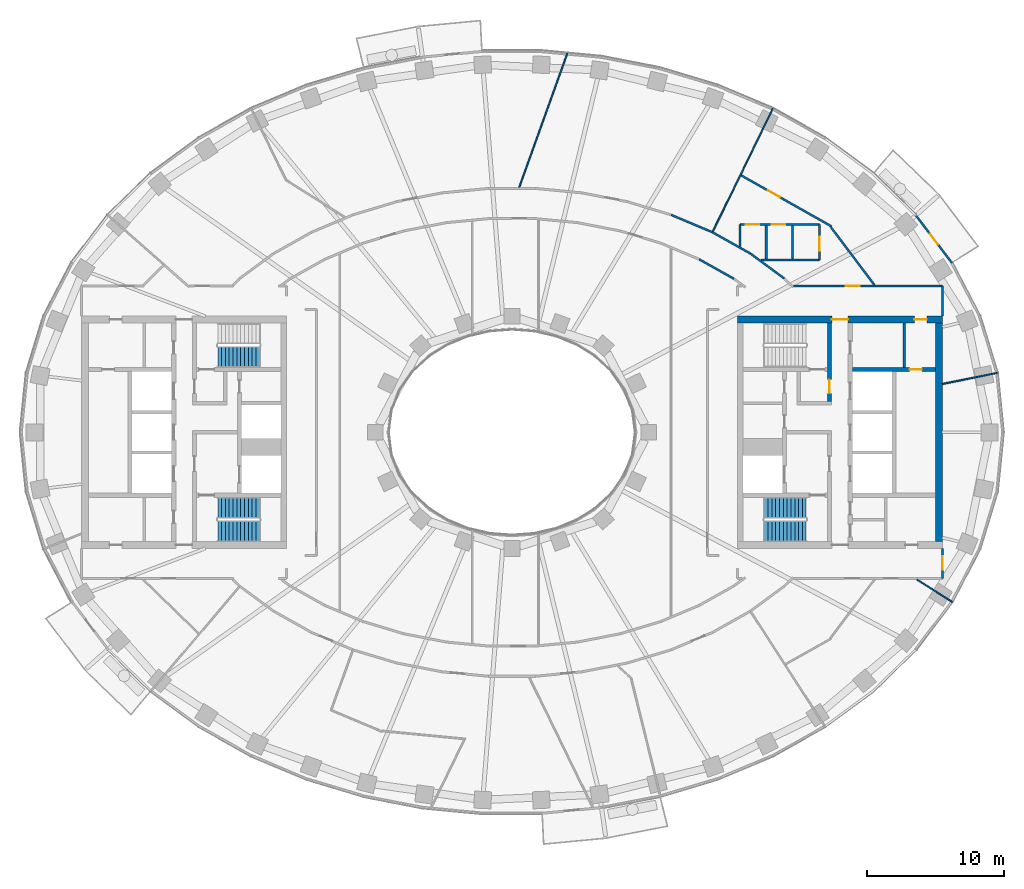
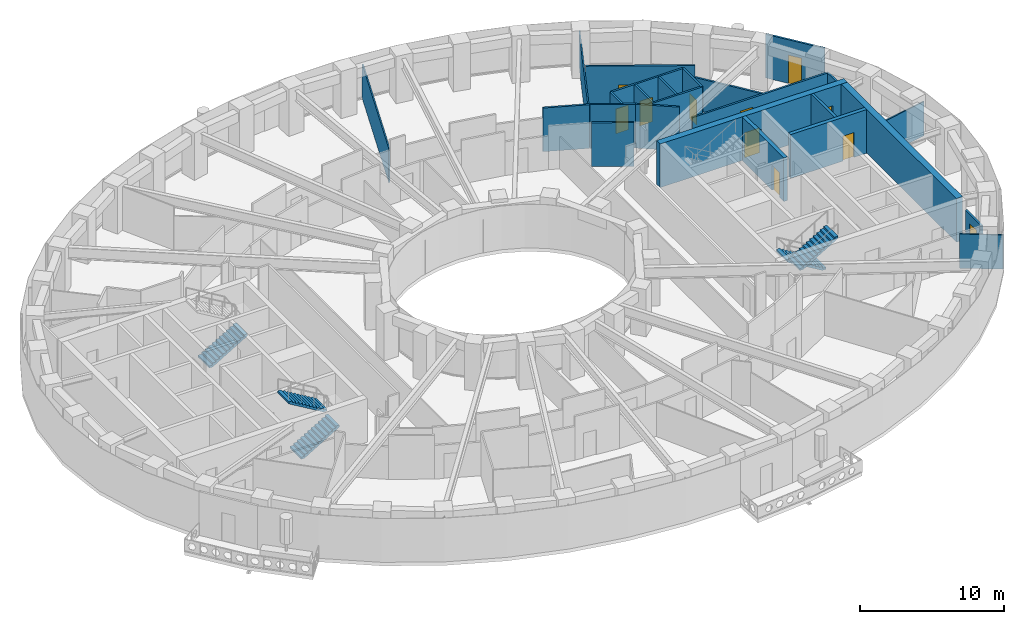
# One storey, part 7 of 17: 25 walls, 11 doors, 5 stair flights, 11 openings, 3 elements without a shape of their own.
"""IFC4 building model written with IfcOpenShell, lengths in metres."""

from ifc_helpers import new_model, si_unit, direction, frame, frame_2d, origin, place, context, subcontext, project, spatial, polyline, rectangle, outline, extrude, material, layer, layer_set, type_object, element, fill, aggregate, save


model = new_model("IFC4")

# Units and contexts
model_context = context("Model", 3, precision=1e-05, world=origin(), true_north=direction((0.0, 1.0)))
body_context = subcontext(model_context, "Body", "Model", "MODEL_VIEW")
ifc_project = project(units=[si_unit("LENGTHUNIT", "METRE"), si_unit("AREAUNIT", "SQUARE_METRE"), si_unit("VOLUMEUNIT", "CUBIC_METRE"), si_unit("PLANEANGLEUNIT", "RADIAN"), si_unit("MASSUNIT", "GRAM", prefix="KILO")], contexts=[model_context])

# Site, building, storey
site_placement = place(None, origin())
site = spatial("IfcSite", under=ifc_project, at=site_placement, CompositionType="ELEMENT")
building_placement = place(site_placement, origin())
building = spatial("IfcBuilding", under=site, at=building_placement, Name="Noorbagh Ring Tower", CompositionType="ELEMENT")
storey_placement = place(building_placement, frame((0.0, 0.0, 120.0)))
storey = spatial("IfcBuildingStorey", under=building, at=storey_placement, Name="L27", CompositionType="ELEMENT", Elevation=120.0)

# Wall
ifc_material_1 = material(Name="Gypsum board on steel studs", Category="steel")
ifc_layer_1 = layer(ifc_material_1, 0.199951171875)
ifc_layer_set_1 = layer_set([ifc_layer_1], Name="Gypsum board on steel studs")
wall_type_1 = type_object("IfcWallType", Name="CORE-PARTITION-200", PredefinedType="PARTITIONING", material=ifc_layer_set_1)
wall_1_placement = place(storey_placement, frame((28.699951171875, 4.75, 0.0), z_axis=(0.0, 0.0, 1.0), x_axis=(0.0, 1.0, 0.0)))
element("IfcWall", 1, at=wall_1_placement, inside=storey, type_object=wall_type_1, Name="Core partition E", PredefinedType="PARTITIONING", context=body_context, shape_type="SweptSolid", body=[
    extrude(rectangle(XDim=3.25, YDim=0.199951171875, at=frame_2d((1.625, 0.0))), origin(), (0.0, 0.0, 1.0), 3.699951171875),
])

# Wall, opening, door
ifc_material_2 = material(Name="Concrete C70/85", Category="concrete")
ifc_layer_2 = layer(ifc_material_2, 0.300048828125)
ifc_layer_set_2 = layer_set([ifc_layer_2], Name="Concrete C70/85")
wall_type_2 = type_object("IfcWallType", Name="CORE-WALL-300-C70-85-EI240", PredefinedType="SHEAR", material=ifc_layer_set_2)
wall_2_placement = place(storey_placement, frame((24.89990234375, 4.60009765625, 0.0), z_axis=(0.0, 0.0, 1.0), x_axis=(1.0, 0.0, 0.0)))
wall_2 = element("IfcWall", 2, at=wall_2_placement, inside=storey, type_object=wall_type_2, Name="Core wall E", PredefinedType="SHEAR", context=body_context, shape_type="SweptSolid", body=[
    extrude(rectangle(XDim=6.10009765625, YDim=0.300048828125, at=frame_2d((3.050048828125, 0.0))), origin(), (0.0, 0.0, 1.0), 3.699951171875),
])
opening_1_placement = place(wall_2_placement, frame((4.199951171875, 0.0, 0.0)))
opening_1 = element("IfcOpeningElement", 3, at=opening_1_placement, cuts=wall_2, Name="Opening L27-CE18", PredefinedType="OPENING", context=body_context, shape_type="SweptSolid", body=[
    extrude(rectangle(XDim=0.89990234375, YDim=2.10009765625, at=frame_2d((0.449951171875, 1.050048828125))), frame((0.0, 0.16015625, 0.0), z_axis=(0.0, -1.0, 0.0), x_axis=(1.0, 0.0, 0.0)), (0.0, 0.0, 1.0), 0.320068359375),
])
ifc_material_3 = material(Name="Steel door leaf", Category="steel")
door_type_1 = type_object("IfcDoorType", Name="CORE-DOOR-DROOM", OperationType="SINGLE_SWING_LEFT", PredefinedType="DOOR", material=ifc_material_3)
door_1_placement = place(opening_1_placement, origin())
door_1 = element("IfcDoor", 4, at=door_1_placement, inside=storey, type_object=door_type_1, Name="Core room door L27-CE18", OperationType="SINGLE_SWING_RIGHT", OverallHeight=2.10009765625, OverallWidth=0.89990234375, PredefinedType="DOOR", context=body_context, shape_type="SweptSolid", body=[
    extrude(rectangle(XDim=0.89990234375, YDim=2.10009765625, at=frame_2d((0.449951171875, 1.050048828125))), frame((0.0, 0.02490234375, 0.0), z_axis=(0.0, -1.0, 0.0), x_axis=(1.0, 0.0, 0.0)), (0.0, 0.0, 1.0), 0.050048828125),
])
fill(opening_1, door_1)

wall_3_placement = place(storey_placement, frame((23.22998046875, 2.25, 0.0), z_axis=(0.0, 0.0, 1.0), x_axis=(0.0, 1.0, 0.0)))
wall_3 = element("IfcWall", 5, at=wall_3_placement, inside=storey, type_object=wall_type_2, Name="Core wall E", PredefinedType="SHEAR", context=body_context, shape_type="SweptSolid", body=[
    extrude(rectangle(XDim=5.75, YDim=0.300048828125, at=frame_2d((2.875, 0.0))), origin(), (0.0, 0.0, 1.0), 3.699951171875),
])
opening_2_placement = place(wall_3_placement, frame((0.60009765625, 0.0, 0.0)))
opening_2 = element("IfcOpeningElement", 6, at=opening_2_placement, cuts=wall_3, Name="Opening L27-CE08", PredefinedType="OPENING", context=body_context, shape_type="SweptSolid", body=[
    extrude(rectangle(XDim=1.0, YDim=2.10009765625, at=frame_2d((0.5, 1.050048828125))), frame((0.0, 0.16015625, 0.0), z_axis=(0.0, -1.0, 0.0), x_axis=(1.0, 0.0, 0.0)), (0.0, 0.0, 1.0), 0.320068359375),
])
ifc_material_4 = material(Name="Steel door leaf", Category="steel")
door_type_2 = type_object("IfcDoorType", Name="CORE-DOOR-DVEST", OperationType="SINGLE_SWING_LEFT", PredefinedType="DOOR", material=ifc_material_4)
door_2_placement = place(opening_2_placement, origin())
door_2 = element("IfcDoor", 7, at=door_2_placement, inside=storey, type_object=door_type_2, Name="Stair vestibule door L27-CE08", OperationType="SINGLE_SWING_RIGHT", OverallHeight=2.10009765625, OverallWidth=1.0, PredefinedType="DOOR", context=body_context, shape_type="SweptSolid", body=[
    extrude(rectangle(XDim=1.0, YDim=2.10009765625, at=frame_2d((0.5, 1.050048828125))), frame((0.0, 0.02490234375, 0.0), z_axis=(0.0, -1.0, 0.0), x_axis=(1.0, 0.0, 0.0)), (0.0, 0.0, 1.0), 0.050048828125),
])
fill(opening_2, door_2)

# Wall, openings, doors
ifc_material_5 = material(Name="Concrete C70/85", Category="concrete")
ifc_layer_3 = layer(ifc_material_5, 0.5)
ifc_layer_set_3 = layer_set([ifc_layer_3], Name="Concrete C70/85")
wall_type_3 = type_object("IfcWallType", Name="CORE-WALL-500-C70-85-EI240", PredefinedType="SHEAR", material=ifc_layer_set_3)
wall_4_placement = place(storey_placement, frame((16.5, 8.25, 0.0), z_axis=(0.0, 0.0, 1.0), x_axis=(1.0, 0.0, 0.0)))
wall_4 = element("IfcWall", 8, at=wall_4_placement, inside=storey, type_object=wall_type_3, Name="Core wall E", PredefinedType="SHEAR", context=body_context, shape_type="SweptSolid", body=[
    extrude(rectangle(XDim=15.0, YDim=0.5, at=frame_2d((7.5, 0.0))), origin(), (0.0, 0.0, 1.0), 3.699951171875),
])
opening_3_placement = place(wall_4_placement, frame((6.89990234375, 0.0, 0.0)))
opening_3 = element("IfcOpeningElement", 9, at=opening_3_placement, cuts=wall_4, Name="Opening L27-CE09", PredefinedType="OPENING", context=body_context, shape_type="SweptSolid", body=[
    extrude(rectangle(XDim=1.199951171875, YDim=2.10009765625, at=frame_2d((0.60009765625, 1.050048828125))), frame((0.0, 0.260009765625, 0.0), z_axis=(0.0, -1.0, 0.0), x_axis=(1.0, 0.0, 0.0)), (0.0, 0.0, 1.0), 0.52001953125),
])
opening_4_placement = place(wall_4_placement, frame((12.949951171875, 0.0, 0.0)))
opening_4 = element("IfcOpeningElement", 10, at=opening_4_placement, cuts=wall_4, Name="Opening L27-CE14", PredefinedType="OPENING", context=body_context, shape_type="SweptSolid", body=[
    extrude(rectangle(XDim=0.89990234375, YDim=2.10009765625, at=frame_2d((0.449951171875, 1.050048828125))), frame((0.0, 0.260009765625, 0.0), z_axis=(0.0, -1.0, 0.0), x_axis=(1.0, 0.0, 0.0)), (0.0, 0.0, 1.0), 0.52001953125),
])
door_3_placement = place(opening_4_placement, origin())
door_3 = element("IfcDoor", 11, at=door_3_placement, inside=storey, type_object=door_type_1, Name="Core room door L27-CE14", OperationType="SINGLE_SWING_LEFT", OverallHeight=2.10009765625, OverallWidth=0.89990234375, PredefinedType="DOOR", context=body_context, shape_type="SweptSolid", body=[
    extrude(rectangle(XDim=0.89990234375, YDim=2.10009765625, at=frame_2d((0.449951171875, 1.050048828125))), frame((0.0, 0.02490234375, 0.0), z_axis=(0.0, -1.0, 0.0), x_axis=(1.0, 0.0, 0.0)), (0.0, 0.0, 1.0), 0.050048828125),
])
fill(opening_4, door_3)
ifc_material_6 = material(Name="Steel door leaf", Category="steel")
door_type_3 = type_object("IfcDoorType", Name="CORE-DOOR-PORT", OperationType="DOUBLE_DOOR_DOUBLE_SWING", PredefinedType="DOOR", material=ifc_material_6)
door_4_placement = place(opening_3_placement, origin())
door_4 = element("IfcDoor", 12, at=door_4_placement, inside=storey, type_object=door_type_3, Name="Core entrance door L27-CE09", OperationType="DOUBLE_DOOR_DOUBLE_SWING", OverallHeight=2.10009765625, OverallWidth=1.199951171875, PredefinedType="DOOR", context=body_context, shape_type="SweptSolid", body=[
    extrude(rectangle(XDim=1.199951171875, YDim=2.10009765625, at=frame_2d((0.60009765625, 1.050048828125))), frame((0.0, 0.02490234375, 0.0), z_axis=(0.0, -1.0, 0.0), x_axis=(1.0, 0.0, 0.0)), (0.0, 0.0, 1.0), 0.050048828125),
])
fill(opening_3, door_4)

# Walls
wall_5_placement = place(storey_placement, frame((31.25, -8.0, 0.0), z_axis=(0.0, 0.0, 1.0), x_axis=(0.0, 1.0, 0.0)))
element("IfcWall", 13, at=wall_5_placement, inside=storey, type_object=wall_type_3, Name="Core wall E", PredefinedType="SHEAR", context=body_context, shape_type="SweptSolid", body=[
    extrude(rectangle(XDim=16.0, YDim=0.5, at=frame_2d((8.0, 0.0))), origin(), (0.0, 0.0, 1.0), 3.699951171875),
])
ifc_material_7 = material(Name="Gypsum board on steel studs", Category="steel")
ifc_layer_4 = layer(ifc_material_7, 0.14990234375)
ifc_layer_set_4 = layer_set([ifc_layer_4], Name="Gypsum board on steel studs")
wall_type_4 = type_object("IfcWallType", Name="CORRIDOR PARTITION 150 EI 30", PredefinedType="PARTITIONING", material=ifc_layer_set_4)
wall_6_placement = place(storey_placement, frame((11.64306640625, 15.9130859375, 0.0), z_axis=(0.0, 0.0, 1.0), x_axis=(0.921789499058, -0.38769075231, 0.0)))
element("IfcWall", 14, at=wall_6_placement, inside=storey, type_object=wall_type_4, Name="L27/wall/P81", PredefinedType="PARTITIONING", context=body_context, shape_type="SweptSolid", body=[
    extrude(rectangle(XDim=3.2783203125, YDim=0.14990234375, at=frame_2d((1.63916015625, 0.0))), origin(), (0.0, 0.0, 1.0), 3.699951171875),
])
wall_7_placement = place(storey_placement, frame((13.697021484375, 12.662109375, 0.0), z_axis=(0.0, 0.0, 1.0), x_axis=(0.872147381065, -0.489243237767, 0.0)))
element("IfcWall", 15, at=wall_7_placement, inside=storey, type_object=wall_type_4, Name="L27/wall/P83", PredefinedType="PARTITIONING", context=body_context, shape_type="SweptSolid", body=[
    extrude(rectangle(XDim=2.92724609375, YDim=0.14990234375, at=frame_2d((1.463623046875, 0.0))), origin(), (0.0, 0.0, 1.0), 3.699951171875),
])
wall_8_placement = place(storey_placement, frame((14.681884765625, 14.632080078125, 0.0), z_axis=(0.0, 0.0, 1.0), x_axis=(0.872147050911, -0.489243826315, 0.0)))
element("IfcWall", 16, at=wall_8_placement, inside=storey, type_object=wall_type_4, Name="L27/wall/P89", PredefinedType="PARTITIONING", context=body_context, shape_type="SweptSolid", body=[
    extrude(rectangle(XDim=3.168212890625, YDim=0.14990234375, at=frame_2d((1.583984375, 0.0))), origin(), (0.0, 0.0, 1.0), 3.699951171875),
])
wall_9_placement = place(storey_placement, frame((16.69091796875, 13.594970703125, 0.0), z_axis=(0.0, 0.0, 1.0), x_axis=(0.0, 1.0, 0.0)))
element("IfcWall", 17, at=wall_9_placement, inside=storey, type_object=wall_type_4, Name="L27/wall/P96", PredefinedType="PARTITIONING", context=body_context, shape_type="SweptSolid", body=[
    extrude(rectangle(XDim=1.60107421875, YDim=0.14990234375, at=frame_2d((0.800537109375, 0.0))), origin(), (0.0, 0.0, 1.0), 3.699951171875),
])

# Wall, openings, doors
wall_10_placement = place(storey_placement, frame((16.695068359375, 15.199951171875, 0.0), z_axis=(0.0, 0.0, 1.0), x_axis=(1.0, 0.0, 0.0)))
wall_10 = element("IfcWall", 18, at=wall_10_placement, inside=storey, type_object=wall_type_4, Name="L27/wall/P97", PredefinedType="PARTITIONING", context=body_context, shape_type="SweptSolid", body=[
    extrude(rectangle(XDim=5.7919921875, YDim=0.14990234375, at=frame_2d((2.89599609375, 0.0))), origin(), (0.0, 0.0, 1.0), 3.699951171875),
])
opening_5_placement = place(wall_10_placement, frame((2.31005859375, 0.0, 0.0)))
opening_5 = element("IfcOpeningElement", 19, at=opening_5_placement, cuts=wall_10, Name="Opening D3", PredefinedType="OPENING", context=body_context, shape_type="SweptSolid", body=[
    extrude(rectangle(XDim=1.0, YDim=2.10009765625, at=frame_2d((0.5, 1.050048828125))), frame((0.0, 0.0849609375, 0.0), z_axis=(0.0, -1.0, 0.0), x_axis=(1.0, 0.0, 0.0)), (0.0, 0.0, 1.0), 0.169921875),
])
opening_6_placement = place(wall_10_placement, frame((0.39990234375, 0.0, 0.0)))
opening_6 = element("IfcOpeningElement", 20, at=opening_6_placement, cuts=wall_10, Name="Opening D3", PredefinedType="OPENING", context=body_context, shape_type="SweptSolid", body=[
    extrude(rectangle(XDim=1.0, YDim=2.10009765625, at=frame_2d((0.5, 1.050048828125))), frame((0.0, 0.0849609375, 0.0), z_axis=(0.0, -1.0, 0.0), x_axis=(1.0, 0.0, 0.0)), (0.0, 0.0, 1.0), 0.169921875),
])
ifc_material_8 = material(Name="Timber, painted", Category="wood")
door_type_4 = type_object("IfcDoorType", Name="DOOR 1000 X 2100 WC", OperationType="SINGLE_SWING_LEFT", PredefinedType="DOOR", material=ifc_material_8)
door_5_placement = place(opening_5_placement, origin())
door_5 = element("IfcDoor", 21, at=door_5_placement, inside=storey, type_object=door_type_4, Name="L27-D03", OperationType="SINGLE_SWING_LEFT", OverallHeight=2.10009765625, OverallWidth=1.0, PredefinedType="DOOR", context=body_context, shape_type="SweptSolid", body=[
    extrude(rectangle(XDim=1.0, YDim=2.10009765625, at=frame_2d((0.5, 1.050048828125))), frame((0.0, 0.02490234375, 0.0), z_axis=(0.0, -1.0, 0.0), x_axis=(1.0, 0.0, 0.0)), (0.0, 0.0, 1.0), 0.050048828125),
])
fill(opening_5, door_5)
door_6_placement = place(opening_6_placement, origin())
door_6 = element("IfcDoor", 22, at=door_6_placement, inside=storey, type_object=door_type_4, Name="L27-D04", OperationType="SINGLE_SWING_RIGHT", OverallHeight=2.10009765625, OverallWidth=1.0, PredefinedType="DOOR", context=body_context, shape_type="SweptSolid", body=[
    extrude(rectangle(XDim=1.0, YDim=2.10009765625, at=frame_2d((0.5, 1.050048828125))), frame((0.0, 0.02490234375, 0.0), z_axis=(0.0, -1.0, 0.0), x_axis=(1.0, 0.0, 0.0)), (0.0, 0.0, 1.0), 0.050048828125),
])
fill(opening_6, door_6)

# Wall, opening, door
wall_11_placement = place(storey_placement, frame((16.758056640625, 18.80810546875, 0.0), z_axis=(0.0, 0.0, 1.0), x_axis=(0.870913339681, -0.491436623345, 0.0)))
wall_11 = element("IfcWall", 23, at=wall_11_placement, inside=storey, type_object=wall_type_4, Name="L27/wall/P98", PredefinedType="PARTITIONING", context=body_context, shape_type="SweptSolid", body=[
    extrude(rectangle(XDim=7.6103515625, YDim=0.14990234375, at=frame_2d((3.80517578125, 0.0))), origin(), (0.0, 0.0, 1.0), 3.699951171875),
])
opening_7_placement = place(wall_11_placement, frame((2.273193359375, 0.0, 0.0)))
opening_7 = element("IfcOpeningElement", 24, at=opening_7_placement, cuts=wall_11, Name="Opening D1", PredefinedType="OPENING", context=body_context, shape_type="SweptSolid", body=[
    extrude(rectangle(XDim=1.0, YDim=2.10009765625, at=frame_2d((0.5, 1.050048828125))), frame((0.0, 0.0849609375, 0.0), z_axis=(0.0, -1.0, 0.0), x_axis=(1.0, 0.0, 0.0)), (0.0, 0.0, 1.0), 0.169921875),
])
ifc_material_9 = material(Name="Timber, painted", Category="wood")
door_type_5 = type_object("IfcDoorType", Name="DOOR 1000 X 2100 FD30", OperationType="SINGLE_SWING_LEFT", PredefinedType="DOOR", material=ifc_material_9)
door_7_placement = place(opening_7_placement, origin())
door_7 = element("IfcDoor", 25, at=door_7_placement, inside=storey, type_object=door_type_5, Name="L27-D15", OperationType="SINGLE_SWING_RIGHT", OverallHeight=2.10009765625, OverallWidth=1.0, PredefinedType="DOOR", context=body_context, shape_type="SweptSolid", body=[
    extrude(rectangle(XDim=1.0, YDim=2.10009765625, at=frame_2d((0.5, 1.050048828125))), frame((0.0, 0.02490234375, 0.0), z_axis=(0.0, -1.0, 0.0), x_axis=(1.0, 0.0, 0.0)), (0.0, 0.0, 1.0), 0.050048828125),
])
fill(opening_7, door_7)

# Walls
wall_12_placement = place(storey_placement, frame((17.445068359375, 13.08203125, 0.0), z_axis=(0.0, 0.0, 1.0), x_axis=(0.805185638843, -0.593022838516, 0.0)))
element("IfcWall", 26, at=wall_12_placement, inside=storey, type_object=wall_type_4, Name="L27/wall/P99", PredefinedType="PARTITIONING", context=body_context, shape_type="SweptSolid", body=[
    extrude(rectangle(XDim=3.072509765625, YDim=0.14990234375, at=frame_2d((1.5361328125, 0.0))), origin(), (0.0, 0.0, 1.0), 3.699951171875),
])
wall_13_placement = place(storey_placement, frame((18.22900390625, 12.60009765625, 0.0), z_axis=(0.0, 0.0, 1.0), x_axis=(1.0, 0.0, 0.0)))
element("IfcWall", 27, at=wall_13_placement, inside=storey, type_object=wall_type_4, Name="L27/wall/P102", PredefinedType="PARTITIONING", context=body_context, shape_type="SweptSolid", body=[
    extrude(rectangle(XDim=4.261962890625, YDim=0.14990234375, at=frame_2d((2.130859375, 0.0))), origin(), (0.0, 0.0, 1.0), 3.699951171875),
])
wall_14_placement = place(storey_placement, frame((18.60498046875, 12.675048828125, 0.0), z_axis=(0.0, 0.0, 1.0), x_axis=(0.0, 1.0, 0.0)))
element("IfcWall", 28, at=wall_14_placement, inside=storey, type_object=wall_type_4, Name="L27/wall/P103", PredefinedType="PARTITIONING", context=body_context, shape_type="SweptSolid", body=[
    extrude(rectangle(XDim=2.449951171875, YDim=0.14990234375, at=frame_2d((1.22509765625, 0.0))), origin(), (0.0, 0.0, 1.0), 3.699951171875),
])

# Wall, opening, door
wall_15_placement = place(storey_placement, frame((20.60302734375, 10.699951171875, 0.0), z_axis=(0.0, 0.0, 1.0), x_axis=(1.0, 0.0, 0.0)))
wall_15 = element("IfcWall", 29, at=wall_15_placement, inside=storey, type_object=wall_type_4, Name="L27/wall/P108", PredefinedType="PARTITIONING", context=body_context, shape_type="SweptSolid", body=[
    extrude(rectangle(XDim=10.89697265625, YDim=0.14990234375, at=frame_2d((5.448486328125, 0.0))), origin(), (0.0, 0.0, 1.0), 2.89990234375),
])
opening_8_placement = place(wall_15_placement, frame((3.8291015625, 0.0, 0.0)))
opening_8 = element("IfcOpeningElement", 30, at=opening_8_placement, cuts=wall_15, Name="Opening D1", PredefinedType="OPENING", context=body_context, shape_type="SweptSolid", body=[
    extrude(rectangle(XDim=1.0, YDim=2.10009765625, at=frame_2d((0.5, 1.050048828125))), frame((0.0, 0.0849609375, 0.0), z_axis=(0.0, -1.0, 0.0), x_axis=(1.0, 0.0, 0.0)), (0.0, 0.0, 1.0), 0.169921875),
])
door_8_placement = place(opening_8_placement, origin())
door_8 = element("IfcDoor", 31, at=door_8_placement, inside=storey, type_object=door_type_5, Name="L27-D01", OperationType="SINGLE_SWING_LEFT", OverallHeight=2.10009765625, OverallWidth=1.0, PredefinedType="DOOR", context=body_context, shape_type="SweptSolid", body=[
    extrude(rectangle(XDim=1.0, YDim=2.10009765625, at=frame_2d((0.5, 1.050048828125))), frame((0.0, 0.02490234375, 0.0), z_axis=(0.0, -1.0, 0.0), x_axis=(1.0, 0.0, 0.0)), (0.0, 0.0, 1.0), 0.050048828125),
])
fill(opening_8, door_8)

# Wall
wall_16_placement = place(storey_placement, frame((20.51904296875, 12.675048828125, 0.0), z_axis=(0.0, 0.0, 1.0), x_axis=(0.0, 1.0, 0.0)))
element("IfcWall", 32, at=wall_16_placement, inside=storey, type_object=wall_type_4, Name="L27/wall/P109", PredefinedType="PARTITIONING", context=body_context, shape_type="SweptSolid", body=[
    extrude(rectangle(XDim=2.449951171875, YDim=0.14990234375, at=frame_2d((1.22509765625, 0.0))), origin(), (0.0, 0.0, 1.0), 3.699951171875),
])

# Wall, opening, door
wall_17_placement = place(storey_placement, frame((22.490966796875, 12.60009765625, 0.0), z_axis=(0.0, 0.0, 1.0), x_axis=(0.0, 1.0, 0.0)))
wall_17 = element("IfcWall", 33, at=wall_17_placement, inside=storey, type_object=wall_type_4, Name="L27/wall/P110", PredefinedType="PARTITIONING", context=body_context, shape_type="SweptSolid", body=[
    extrude(rectangle(XDim=2.595947265625, YDim=0.14990234375, at=frame_2d((1.2978515625, 0.0))), origin(), (0.0, 0.0, 1.0), 3.699951171875),
])
opening_9_placement = place(wall_17_placement, frame((0.696044921875, 0.0, 0.0)))
opening_9 = element("IfcOpeningElement", 34, at=opening_9_placement, cuts=wall_17, Name="Opening D3", PredefinedType="OPENING", context=body_context, shape_type="SweptSolid", body=[
    extrude(rectangle(XDim=1.0, YDim=2.10009765625, at=frame_2d((0.5, 1.050048828125))), frame((0.0, 0.0849609375, 0.0), z_axis=(0.0, -1.0, 0.0), x_axis=(1.0, 0.0, 0.0)), (0.0, 0.0, 1.0), 0.169921875),
])
door_9_placement = place(opening_9_placement, origin())
door_9 = element("IfcDoor", 35, at=door_9_placement, inside=storey, type_object=door_type_4, Name="L27-D02", OperationType="SINGLE_SWING_RIGHT", OverallHeight=2.10009765625, OverallWidth=1.0, PredefinedType="DOOR", context=body_context, shape_type="SweptSolid", body=[
    extrude(rectangle(XDim=1.0, YDim=2.10009765625, at=frame_2d((0.5, 1.050048828125))), frame((0.0, 0.02490234375, 0.0), z_axis=(0.0, -1.0, 0.0), x_axis=(1.0, 0.0, 0.0)), (0.0, 0.0, 1.0), 0.050048828125),
])
fill(opening_9, door_9)

# Wall
wall_18_placement = place(storey_placement, frame((23.3359375, 15.010009765625, 0.0), z_axis=(0.0, 0.0, 1.0), x_axis=(0.601641668664, -0.79876611253, 0.0)))
element("IfcWall", 36, at=wall_18_placement, inside=storey, type_object=wall_type_4, Name="L27/wall/P112", PredefinedType="PARTITIONING", context=body_context, shape_type="SweptSolid", body=[
    extrude(rectangle(XDim=5.302001953125, YDim=0.14990234375, at=frame_2d((2.65087890625, 0.0))), origin(), (0.0, 0.0, 1.0), 2.75),
])

# Wall, opening, door
wall_19_placement = place(storey_placement, frame((31.5, -10.699951171875, 0.0), z_axis=(0.0, 0.0, 1.0), x_axis=(0.0, 1.0, 0.0)))
wall_19 = element("IfcWall", 37, at=wall_19_placement, inside=storey, type_object=wall_type_4, Name="L27/wall/P114", PredefinedType="PARTITIONING", context=body_context, shape_type="SweptSolid", body=[
    extrude(rectangle(XDim=2.199951171875, YDim=0.14990234375, at=frame_2d((1.10009765625, 0.0))), origin(), (0.0, 0.0, 1.0), 2.89990234375),
])
opening_10_placement = place(wall_19_placement, frame((0.64990234375, 0.0, 0.0)))
opening_10 = element("IfcOpeningElement", 38, at=opening_10_placement, cuts=wall_19, Name="Opening D1", PredefinedType="OPENING", context=body_context, shape_type="SweptSolid", body=[
    extrude(rectangle(XDim=1.0, YDim=2.10009765625, at=frame_2d((0.5, 1.050048828125))), frame((0.0, 0.0849609375, 0.0), z_axis=(0.0, -1.0, 0.0), x_axis=(1.0, 0.0, 0.0)), (0.0, 0.0, 1.0), 0.169921875),
])
door_10_placement = place(opening_10_placement, origin())
door_10 = element("IfcDoor", 39, at=door_10_placement, inside=storey, type_object=door_type_5, Name="L27-D18", OperationType="SINGLE_SWING_RIGHT", OverallHeight=2.10009765625, OverallWidth=1.0, PredefinedType="DOOR", context=body_context, shape_type="SweptSolid", body=[
    extrude(rectangle(XDim=1.0, YDim=2.10009765625, at=frame_2d((0.5, 1.050048828125))), frame((0.0, 0.02490234375, 0.0), z_axis=(0.0, -1.0, 0.0), x_axis=(1.0, 0.0, 0.0)), (0.0, 0.0, 1.0), 0.050048828125),
])
fill(opening_10, door_10)

# Wall
wall_20_placement = place(storey_placement, frame((31.5, 8.5, 0.0), z_axis=(0.0, 0.0, 1.0), x_axis=(0.0, 1.0, 0.0)))
element("IfcWall", 40, at=wall_20_placement, inside=storey, type_object=wall_type_4, Name="L27/wall/P116", PredefinedType="PARTITIONING", context=body_context, shape_type="SweptSolid", body=[
    extrude(rectangle(XDim=2.199951171875, YDim=0.14990234375, at=frame_2d((1.10009765625, 0.0))), origin(), (0.0, 0.0, 1.0), 2.89990234375),
])

# Wall, opening, door
ifc_material_10 = material(Name="Insulated aluminium clad panel", Category="aluminium")
ifc_layer_5 = layer(ifc_material_10, 0.14990234375)
ifc_layer_set_5 = layer_set([ifc_layer_5], Name="Insulated aluminium clad panel")
wall_type_5 = type_object("IfcWallType", Name="ENV-WALL-DOOR", PredefinedType="STANDARD", material=ifc_layer_set_5)
wall_21_placement = place(storey_placement, frame((32.20751953125, 12.37353515625, 0.0), z_axis=(0.0, 0.0, 1.0), x_axis=(-0.604045763106, 0.796949632081, 0.0)))
wall_21 = element("IfcWall", 41, at=wall_21_placement, inside=storey, type_object=wall_type_5, Name="Balcony door wall chord 04", PredefinedType="STANDARD", context=body_context, shape_type="SweptSolid", body=[
    extrude(rectangle(XDim=4.42333984375, YDim=0.14990234375, at=frame_2d((2.211669921875, 0.0))), origin(), (0.0, 0.0, 1.0), 3.699951171875),
])
opening_11_placement = place(wall_21_placement, frame((1.711669921875, 0.0, 0.0)))
opening_11 = element("IfcOpeningElement", 42, at=opening_11_placement, cuts=wall_21, Name="Opening D-BL", PredefinedType="OPENING", context=body_context, shape_type="SweptSolid", body=[
    extrude(rectangle(XDim=1.0, YDim=2.39990234375, at=frame_2d((0.5, 1.199951171875))), frame((0.0, 0.0849609375, 0.0), z_axis=(0.0, -1.0, 0.0), x_axis=(1.0, 0.0, 0.0)), (0.0, 0.0, 1.0), 0.169921875),
])
ifc_material_11 = material(Name="Aluminium and glass", Category="aluminium")
door_type_6 = type_object("IfcDoorType", Name="ENV-DOOR-BALCONY", OperationType="SINGLE_SWING_LEFT", PredefinedType="DOOR", material=ifc_material_11)
door_11_placement = place(opening_11_placement, origin())
door_11 = element("IfcDoor", 43, at=door_11_placement, inside=storey, type_object=door_type_6, Name="Balcony door chord 04", OperationType="SINGLE_SWING_RIGHT", OverallHeight=2.39990234375, OverallWidth=1.0, PredefinedType="DOOR", context=body_context, shape_type="SweptSolid", body=[
    extrude(rectangle(XDim=1.0, YDim=2.39990234375, at=frame_2d((0.5, 1.199951171875))), frame((0.0, 0.02490234375, 0.0), z_axis=(0.0, -1.0, 0.0), x_axis=(1.0, 0.0, 0.0)), (0.0, 0.0, 1.0), 0.050048828125),
])
fill(opening_11, door_11)

# Walls
ifc_material_12 = material(Name="Gypsum board on steel studs", Category="steel")
ifc_layer_6 = layer(ifc_material_12, 0.10009765625)
ifc_layer_set_6 = layer_set([ifc_layer_6], Name="Gypsum board on steel studs")
wall_type_6 = type_object("IfcWallType", Name="PARTITION 100 GYPSUM", PredefinedType="PARTITIONING", material=ifc_layer_set_6)
wall_22_placement = place(storey_placement, frame((0.52294921875, 17.923095703125, 0.0), z_axis=(0.0, 0.0, 1.0), x_axis=(0.338475258228, 0.940975291688, 0.0)))
element("IfcWall", 44, at=wall_22_placement, inside=storey, type_object=wall_type_6, Name="L27/wall/P58", PredefinedType="PARTITIONING", context=body_context, shape_type="SweptSolid", body=[
    extrude(rectangle(XDim=10.408203125, YDim=0.10009765625, at=frame_2d((5.2041015625, 0.0))), origin(), (0.0, 0.0, 1.0), 2.89990234375),
])
wall_23_placement = place(storey_placement, frame((14.6669921875, 14.64599609375, 0.0), z_axis=(0.0, 0.0, 1.0), x_axis=(0.439197946233, 0.898390318305, 0.0)))
element("IfcWall", 45, at=wall_23_placement, inside=storey, type_object=wall_type_6, Name="L27/wall/P88", PredefinedType="PARTITIONING", context=body_context, shape_type="SweptSolid", body=[
    extrude(rectangle(XDim=10.061279296875, YDim=0.10009765625, at=frame_2d((5.03076171875, 0.0))), origin(), (0.0, 0.0, 1.0), 2.89990234375),
])
wall_24_placement = place(storey_placement, frame((29.636962890625, -10.777099609375, 0.0), z_axis=(0.0, 0.0, 1.0), x_axis=(0.844810627195, -0.535065420467, 0.0)))
element("IfcWall", 46, at=wall_24_placement, inside=storey, type_object=wall_type_6, Name="L27/wall/P113", PredefinedType="PARTITIONING", context=body_context, shape_type="SweptSolid", body=[
    extrude(rectangle(XDim=3.0478515625, YDim=0.10009765625, at=frame_2d((1.52392578125, 0.0))), origin(), (0.0, 0.0, 1.0), 2.89990234375),
])
wall_25_placement = place(storey_placement, frame((31.5, 3.5419921875, 0.0), z_axis=(0.0, 0.0, 1.0), x_axis=(0.980357474535, 0.197228857227, 0.0)))
element("IfcWall", 47, at=wall_25_placement, inside=storey, type_object=wall_type_6, Name="L27/wall/P115", PredefinedType="PARTITIONING", context=body_context, shape_type="SweptSolid", body=[
    extrude(rectangle(XDim=4.09228515625, YDim=0.10009765625, at=frame_2d((2.046142578125, 0.0))), origin(), (0.0, 0.0, 1.0), 2.89990234375),
])

# Stair, stair flight
ifc_material_13 = material(Name="Concrete C40/50", Category="concrete")
stair_type = type_object("IfcStairType", Name="CORE-STAIR", PredefinedType="HALF_TURN_STAIR", material=ifc_material_13)
stair_1_placement = place(storey_placement, origin())
stair_1 = element("IfcStair", 48, at=stair_1_placement, inside=storey, type_object=stair_type, Name="L27 Exit stair ST1", PredefinedType="HALF_TURN_STAIR")
ifc_material_14 = material(Name="Concrete C40/50", Category="concrete")
stair_flight_type = type_object("IfcStairFlightType", Name="CORE-STAIR-FLIGHT", PredefinedType="STRAIGHT", material=ifc_material_14)
stair_flight_1_placement = place(storey_placement, frame((-21.530029296875, 5.52490234375, 0.0), z_axis=(0.0, 0.0, 1.0), x_axis=(1.0, 0.0, 0.0)))
stair_flight_1 = element("IfcStairFlight", 49, at=stair_flight_1_placement, type_object=stair_flight_type, Name="ST1 flight 1", NumberOfRisers=12, NumberOfTreads=11, PredefinedType="STRAIGHT", RiserHeight=0.166666667, TreadLength=0.28, context=body_context, shape_type="SweptSolid", body=[
    extrude(outline(polyline([(0.0, 0.0), (0.0, 0.166748046875), (0.280029296875, 0.166748046875), (0.280029296875, 0.333251953125), (0.56005859375, 0.333251953125), (0.56005859375, 0.5), (0.840087890625, 0.5), (0.840087890625, 0.666748046875), (1.1201171875, 0.666748046875), (1.1201171875, 0.833251953125), (1.39990234375, 0.833251953125), (1.39990234375, 1.0), (1.679931640625, 1.0), (1.679931640625, 1.166748046875), (1.9599609375, 1.166748046875), (1.9599609375, 1.333251953125), (2.239990234375, 1.333251953125), (2.239990234375, 1.5), (2.52001953125, 1.5), (2.52001953125, 1.666748046875), (2.800048828125, 1.666748046875), (2.800048828125, 1.833251953125), (3.080078125, 1.833251953125), (3.080078125, 2.0), (3.080078125, 1.658935546875), (0.29296875, 0.0), (0.0, 0.0)])), frame((0.0, 0.77490234375, 0.0), z_axis=(0.0, -1.0, 0.0), x_axis=(1.0, 0.0, 0.0)), (0.0, 0.0, 1.0), 1.550048828125),
])
aggregate(stair_1, [stair_flight_1])

# Stair, stair flights
stair_2_placement = place(storey_placement, origin())
stair_2 = element("IfcStair", 50, at=stair_2_placement, inside=storey, type_object=stair_type, Name="L27 Exit stair ST2", PredefinedType="HALF_TURN_STAIR")
stair_flight_2_placement = place(storey_placement, frame((-21.530029296875, -7.22509765625, 0.0), z_axis=(0.0, 0.0, 1.0), x_axis=(1.0, 0.0, 0.0)))
stair_flight_2 = element("IfcStairFlight", 51, at=stair_flight_2_placement, type_object=stair_flight_type, Name="ST2 flight 1", NumberOfRisers=12, NumberOfTreads=11, PredefinedType="STRAIGHT", RiserHeight=0.166666667, TreadLength=0.28, context=body_context, shape_type="SweptSolid", body=[
    extrude(outline(polyline([(0.0, 0.0), (0.0, 0.166748046875), (0.280029296875, 0.166748046875), (0.280029296875, 0.333251953125), (0.56005859375, 0.333251953125), (0.56005859375, 0.5), (0.840087890625, 0.5), (0.840087890625, 0.666748046875), (1.1201171875, 0.666748046875), (1.1201171875, 0.833251953125), (1.39990234375, 0.833251953125), (1.39990234375, 1.0), (1.679931640625, 1.0), (1.679931640625, 1.166748046875), (1.9599609375, 1.166748046875), (1.9599609375, 1.333251953125), (2.239990234375, 1.333251953125), (2.239990234375, 1.5), (2.52001953125, 1.5), (2.52001953125, 1.666748046875), (2.800048828125, 1.666748046875), (2.800048828125, 1.833251953125), (3.080078125, 1.833251953125), (3.080078125, 2.0), (3.080078125, 1.658935546875), (0.29296875, 0.0), (0.0, 0.0)])), frame((0.0, 0.77490234375, 0.0), z_axis=(0.0, -1.0, 0.0), x_axis=(1.0, 0.0, 0.0)), (0.0, 0.0, 1.0), 1.550048828125),
])
stair_flight_3_placement = place(storey_placement, frame((-18.449951171875, -5.52490234375, 2.0), z_axis=(0.0, 0.0, 1.0), x_axis=(-1.0, 0.0, 0.0)))
stair_flight_3 = element("IfcStairFlight", 52, at=stair_flight_3_placement, type_object=stair_flight_type, Name="ST2 flight 2", NumberOfRisers=12, NumberOfTreads=11, PredefinedType="STRAIGHT", RiserHeight=0.166666667, TreadLength=0.28, context=body_context, shape_type="SweptSolid", body=[
    extrude(outline(polyline([(0.0, 0.0), (0.0, 0.166748046875), (0.280029296875, 0.166748046875), (0.280029296875, 0.333251953125), (0.56005859375, 0.333251953125), (0.56005859375, 0.5), (0.840087890625, 0.5), (0.840087890625, 0.666748046875), (1.1201171875, 0.666748046875), (1.1201171875, 0.833251953125), (1.39990234375, 0.833251953125), (1.39990234375, 1.0), (1.679931640625, 1.0), (1.679931640625, 1.166748046875), (1.9599609375, 1.166748046875), (1.9599609375, 1.333251953125), (2.239990234375, 1.333251953125), (2.239990234375, 1.5), (2.52001953125, 1.5), (2.52001953125, 1.666748046875), (2.800048828125, 1.666748046875), (2.800048828125, 1.833251953125), (3.080078125, 1.833251953125), (3.080078125, 2.0), (3.080078125, 1.658935546875), (0.29296875, 0.0), (0.0, 0.0)])), frame((0.0, 0.77490234375, 0.0), z_axis=(0.0, -1.0, 0.0), x_axis=(1.0, 0.0, 0.0)), (0.0, 0.0, 1.0), 1.550048828125),
])
aggregate(stair_2, [stair_flight_2, stair_flight_3])

stair_3_placement = place(storey_placement, origin())
stair_3 = element("IfcStair", 53, at=stair_3_placement, inside=storey, type_object=stair_type, Name="L27 Exit stair ST4", PredefinedType="HALF_TURN_STAIR")
stair_flight_4_placement = place(storey_placement, frame((21.530029296875, -5.52490234375, 0.0), z_axis=(0.0, 0.0, 1.0), x_axis=(-1.0, 0.0, 0.0)))
stair_flight_4 = element("IfcStairFlight", 54, at=stair_flight_4_placement, type_object=stair_flight_type, Name="ST4 flight 1", NumberOfRisers=12, NumberOfTreads=11, PredefinedType="STRAIGHT", RiserHeight=0.166666667, TreadLength=0.28, context=body_context, shape_type="SweptSolid", body=[
    extrude(outline(polyline([(0.0, 0.0), (0.0, 0.166748046875), (0.280029296875, 0.166748046875), (0.280029296875, 0.333251953125), (0.56005859375, 0.333251953125), (0.56005859375, 0.5), (0.840087890625, 0.5), (0.840087890625, 0.666748046875), (1.1201171875, 0.666748046875), (1.1201171875, 0.833251953125), (1.39990234375, 0.833251953125), (1.39990234375, 1.0), (1.679931640625, 1.0), (1.679931640625, 1.166748046875), (1.9599609375, 1.166748046875), (1.9599609375, 1.333251953125), (2.239990234375, 1.333251953125), (2.239990234375, 1.5), (2.52001953125, 1.5), (2.52001953125, 1.666748046875), (2.800048828125, 1.666748046875), (2.800048828125, 1.833251953125), (3.080078125, 1.833251953125), (3.080078125, 2.0), (3.080078125, 1.658935546875), (0.29296875, 0.0), (0.0, 0.0)])), frame((0.0, 0.77490234375, 0.0), z_axis=(0.0, -1.0, 0.0), x_axis=(1.0, 0.0, 0.0)), (0.0, 0.0, 1.0), 1.550048828125),
])
stair_flight_5_placement = place(storey_placement, frame((18.449951171875, -7.22509765625, 2.0), z_axis=(0.0, 0.0, 1.0), x_axis=(1.0, 0.0, 0.0)))
stair_flight_5 = element("IfcStairFlight", 55, at=stair_flight_5_placement, type_object=stair_flight_type, Name="ST4 flight 2", NumberOfRisers=12, NumberOfTreads=11, PredefinedType="STRAIGHT", RiserHeight=0.166666667, TreadLength=0.28, context=body_context, shape_type="SweptSolid", body=[
    extrude(outline(polyline([(0.0, 0.0), (0.0, 0.166748046875), (0.280029296875, 0.166748046875), (0.280029296875, 0.333251953125), (0.56005859375, 0.333251953125), (0.56005859375, 0.5), (0.840087890625, 0.5), (0.840087890625, 0.666748046875), (1.1201171875, 0.666748046875), (1.1201171875, 0.833251953125), (1.39990234375, 0.833251953125), (1.39990234375, 1.0), (1.679931640625, 1.0), (1.679931640625, 1.166748046875), (1.9599609375, 1.166748046875), (1.9599609375, 1.333251953125), (2.239990234375, 1.333251953125), (2.239990234375, 1.5), (2.52001953125, 1.5), (2.52001953125, 1.666748046875), (2.800048828125, 1.666748046875), (2.800048828125, 1.833251953125), (3.080078125, 1.833251953125), (3.080078125, 2.0), (3.080078125, 1.658935546875), (0.29296875, 0.0), (0.0, 0.0)])), frame((0.0, 0.77490234375, 0.0), z_axis=(0.0, -1.0, 0.0), x_axis=(1.0, 0.0, 0.0)), (0.0, 0.0, 1.0), 1.550048828125),
])
aggregate(stair_3, [stair_flight_4, stair_flight_5])

save(model, "model.ifc")
